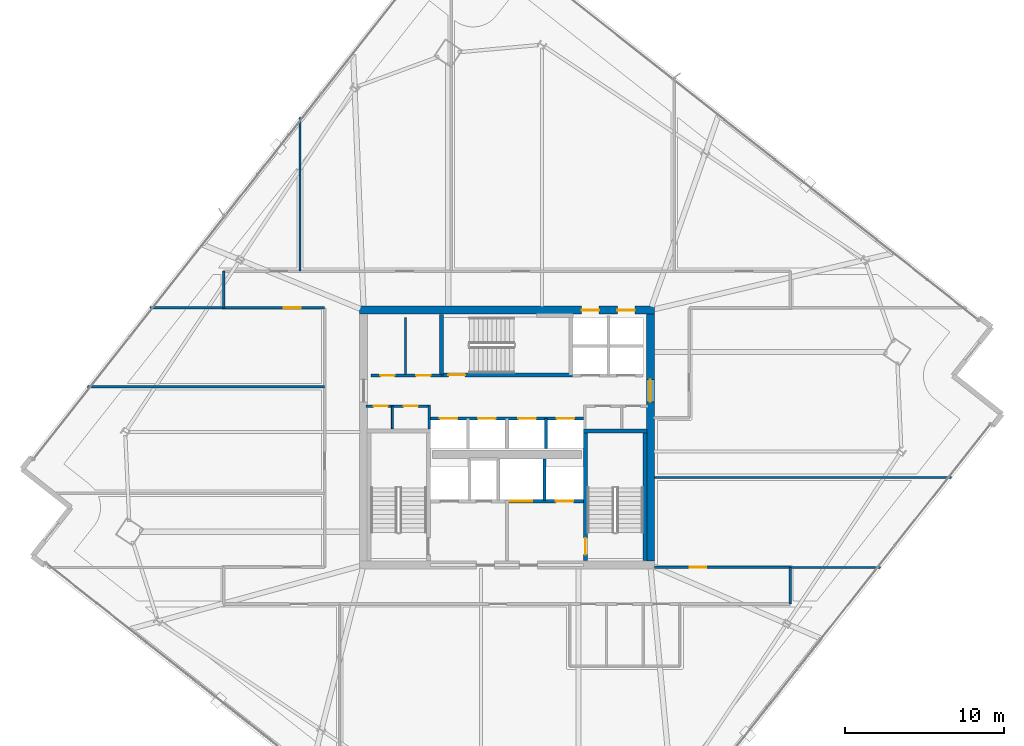
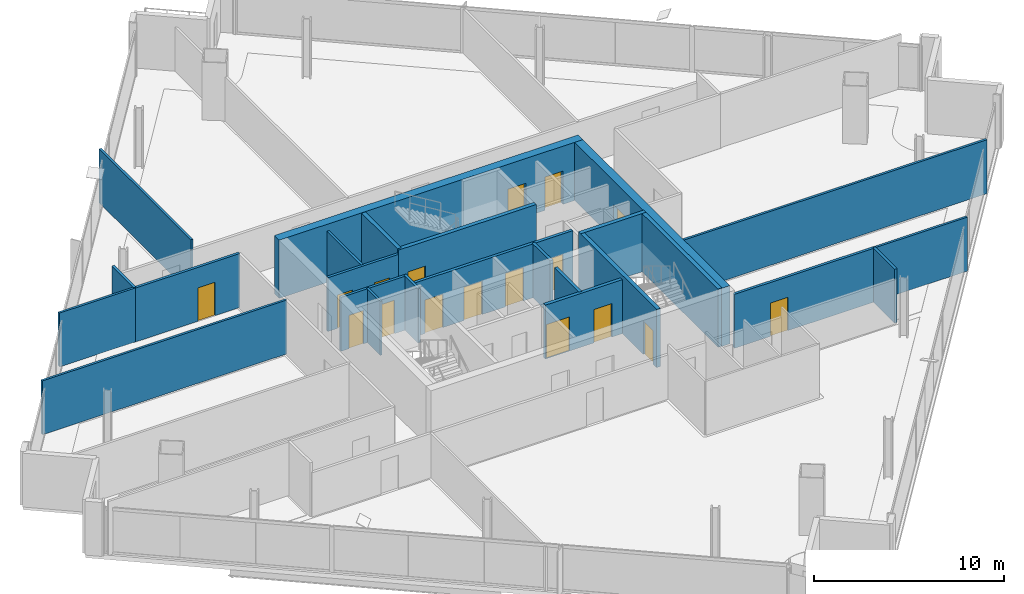
# One storey, part 21 of 28: 25 walls, 17 doors, 17 openings.
"""IFC4 building model written with IfcOpenShell, lengths in metres."""

from ifc_helpers import new_model, si_unit, direction, frame, frame_2d, origin, place, context, subcontext, project, spatial, rectangle, extrude, material, layer, layer_set, type_object, element, fill, save


model = new_model("IFC4")

# Units and contexts
model_context = context("Model", 3, precision=1e-05, world=origin(), true_north=direction((0.0, 1.0)))
body_context = subcontext(model_context, "Body", "Model", "MODEL_VIEW")
ifc_project = project(units=[si_unit("LENGTHUNIT", "METRE"), si_unit("AREAUNIT", "SQUARE_METRE"), si_unit("VOLUMEUNIT", "CUBIC_METRE"), si_unit("PLANEANGLEUNIT", "RADIAN"), si_unit("MASSUNIT", "GRAM", prefix="KILO")], contexts=[model_context])

# Site, building, storey
site_placement = place(None, origin())
site = spatial("IfcSite", under=ifc_project, at=site_placement, CompositionType="ELEMENT")
building_placement = place(site_placement, origin())
building = spatial("IfcBuilding", under=site, at=building_placement, Name="Haldenkirk Collegiate Tower", CompositionType="ELEMENT")
storey_placement = place(building_placement, frame((0.0, 0.0, 202.199951171875)))
storey = spatial("IfcBuildingStorey", under=building, at=storey_placement, Name="L50", CompositionType="ELEMENT", Elevation=202.199951171875)

# Wall, openings, doors
ifc_material_1 = material(Name="Concrete f'c 55 MPa", Category="concrete")
ifc_layer_1 = layer(ifc_material_1, 0.5)
ifc_layer_set_1 = layer_set([ifc_layer_1], Name="Concrete f'c 55 MPa")
wall_type_1 = type_object("IfcWallType", Name="WL-CORE-500", PredefinedType="SHEAR", material=ifc_layer_set_1)
wall_1_placement = place(storey_placement, frame((26.75, 34.0, 0.0), z_axis=(0.0, 0.0, 1.0), x_axis=(1.0, 0.0, 0.0)))
wall_1 = element("IfcWall", 1, at=wall_1_placement, inside=storey, type_object=wall_type_1, Name="L50 central core shear wall N", PredefinedType="SHEAR", context=body_context, shape_type="SweptSolid", body=[
    extrude(rectangle(XDim=18.5, YDim=0.5, at=frame_2d((9.25, 0.0))), origin(), (0.0, 0.0, 1.0), 3.75),
])
opening_1_placement = place(wall_1_placement, frame((13.93505859375, 0.0, 0.0)))
opening_1 = element("IfcOpeningElement", 2, at=opening_1_placement, cuts=wall_1, Name="Opening LD-11", PredefinedType="OPENING", context=body_context, shape_type="SweptSolid", body=[
    extrude(rectangle(XDim=1.10009765625, YDim=2.14990234375, at=frame_2d((0.550048828125, 1.074951171875))), frame((0.0, 0.260009765625, 0.0), z_axis=(0.0, -1.0, 0.0), x_axis=(1.0, 0.0, 0.0)), (0.0, 0.0, 1.0), 0.52001953125),
])
opening_2_placement = place(wall_1_placement, frame((16.18505859375, 0.0, 0.0)))
opening_2 = element("IfcOpeningElement", 3, at=opening_2_placement, cuts=wall_1, Name="Opening LD-11", PredefinedType="OPENING", context=body_context, shape_type="SweptSolid", body=[
    extrude(rectangle(XDim=1.10009765625, YDim=2.14990234375, at=frame_2d((0.550048828125, 1.074951171875))), frame((0.0, 0.260009765625, 0.0), z_axis=(0.0, -1.0, 0.0), x_axis=(1.0, 0.0, 0.0)), (0.0, 0.0, 1.0), 0.52001953125),
])
ifc_material_2 = material(Name="Brushed architectural stainless steel", Category="steel")
ifc_layer_2 = layer(ifc_material_2, 0.06005859375)
ifc_layer_set_2 = layer_set([ifc_layer_2], Name="Brushed architectural stainless steel")
door_type_1 = type_object("IfcDoorType", Name="LD-PASS-1100", OperationType="NOTDEFINED", PredefinedType="DOOR", material=ifc_layer_set_2)
door_1_placement = place(opening_1_placement, origin())
door_1 = element("IfcDoor", 4, at=door_1_placement, inside=storey, type_object=door_type_1, Name="L50 Elevator PM3 sliding landing door", OperationType="SLIDING_TO_LEFT", OverallHeight=2.14990234375, OverallWidth=1.10009765625, PredefinedType="DOOR", context=body_context, shape_type="SweptSolid", body=[
    extrude(rectangle(XDim=1.10009765625, YDim=2.14990234375, at=frame_2d((0.550048828125, 1.074951171875))), frame((0.0, 0.02490234375, 0.0), z_axis=(0.0, -1.0, 0.0), x_axis=(1.0, 0.0, 0.0)), (0.0, 0.0, 1.0), 0.050048828125),
])
fill(opening_1, door_1)
door_2_placement = place(opening_2_placement, origin())
door_2 = element("IfcDoor", 5, at=door_2_placement, inside=storey, type_object=door_type_1, Name="L50 Elevator PM4 sliding landing door", OperationType="SLIDING_TO_LEFT", OverallHeight=2.14990234375, OverallWidth=1.10009765625, PredefinedType="DOOR", context=body_context, shape_type="SweptSolid", body=[
    extrude(rectangle(XDim=1.10009765625, YDim=2.14990234375, at=frame_2d((0.550048828125, 1.074951171875))), frame((0.0, 0.02490234375, 0.0), z_axis=(0.0, -1.0, 0.0), x_axis=(1.0, 0.0, 0.0)), (0.0, 0.0, 1.0), 0.050048828125),
])
fill(opening_2, door_2)

# Wall, opening, door
wall_2_placement = place(storey_placement, frame((45.0, 18.25, 0.0), z_axis=(0.0, 0.0, 1.0), x_axis=(0.0, 1.0, 0.0)))
wall_2 = element("IfcWall", 6, at=wall_2_placement, inside=storey, type_object=wall_type_1, Name="L50 central core shear wall E", PredefinedType="SHEAR", context=body_context, shape_type="SweptSolid", body=[
    extrude(rectangle(XDim=15.5, YDim=0.5, at=frame_2d((7.75, 0.0))), origin(), (0.0, 0.0, 1.0), 3.75),
])
opening_3_placement = place(wall_2_placement, frame((9.989990234375, 0.0, 0.0)))
opening_3 = element("IfcOpeningElement", 7, at=opening_3_placement, cuts=wall_2, Name="Opening D-03", PredefinedType="OPENING", context=body_context, shape_type="SweptSolid", body=[
    extrude(rectangle(XDim=1.39990234375, YDim=2.199951171875, at=frame_2d((0.699951171875, 1.10009765625))), frame((0.0, 0.260009765625, 0.0), z_axis=(0.0, -1.0, 0.0), x_axis=(1.0, 0.0, 0.0)), (0.0, 0.0, 1.0), 0.52001953125),
])
ifc_material_3 = material(Name="Galvanized fire-rated hollow steel door", Category="steel")
ifc_layer_3 = layer(ifc_material_3, 0.06005859375)
ifc_layer_set_3 = layer_set([ifc_layer_3], Name="Galvanized fire-rated hollow steel door")
door_type_2 = type_object("IfcDoorType", Name="DR-LOBBY-FD90-1400", OperationType="NOTDEFINED", PredefinedType="DOOR", material=ifc_layer_set_3)
door_3_placement = place(opening_3_placement, origin())
door_3 = element("IfcDoor", 8, at=door_3_placement, inside=storey, type_object=door_type_2, Name="L50 east lift lobby portal", OperationType="DOUBLE_DOOR_SINGLE_SWING", OverallHeight=2.199951171875, OverallWidth=1.39990234375, PredefinedType="DOOR", context=body_context, shape_type="SweptSolid", body=[
    extrude(rectangle(XDim=1.39990234375, YDim=2.199951171875, at=frame_2d((0.699951171875, 1.10009765625))), frame((0.0, 0.02490234375, 0.0), z_axis=(0.0, -1.0, 0.0), x_axis=(1.0, 0.0, 0.0)), (0.0, 0.0, 1.0), 0.050048828125),
])
fill(opening_3, door_3)

# Wall, openings, doors
ifc_material_4 = material(Name="Acoustic fire-rated gypsum partition", Category="concrete")
ifc_layer_4 = layer(ifc_material_4, 0.159912109375)
ifc_layer_set_4 = layer_set([ifc_layer_4], Name="Acoustic fire-rated gypsum partition")
wall_type_2 = type_object("IfcWallType", Name="WL-INT-CORR-160", PredefinedType="PARTITIONING", material=ifc_layer_set_4)
wall_3_placement = place(storey_placement, frame((27.14990234375, 27.97998046875, 0.0), z_axis=(0.0, 0.0, 1.0), x_axis=(1.0, 0.0, 0.0)))
wall_3 = element("IfcWall", 9, at=wall_3_placement, inside=storey, type_object=wall_type_2, Name="L50 interior partition IW-L50-VCSW-N", PredefinedType="PARTITIONING", context=body_context, shape_type="SweptSolid", body=[
    extrude(rectangle(XDim=4.050048828125, YDim=0.159912109375, at=frame_2d((2.02490234375, 0.0))), origin(), (0.0, 0.0, 1.0), 3.469970703125),
])
opening_4_placement = place(wall_3_placement, frame((0.469970703125, 0.0, 0.0)))
opening_4 = element("IfcOpeningElement", 10, at=opening_4_placement, cuts=wall_3, Name="Opening D-11", PredefinedType="OPENING", context=body_context, shape_type="SweptSolid", body=[
    extrude(rectangle(XDim=0.89990234375, YDim=2.14990234375, at=frame_2d((0.449951171875, 1.074951171875))), frame((0.0, 0.08984375, 0.0), z_axis=(0.0, -1.0, 0.0), x_axis=(1.0, 0.0, 0.0)), (0.0, 0.0, 1.0), 0.179931640625),
])
opening_5_placement = place(wall_3_placement, frame((2.360107421875, 0.0, 0.0)))
opening_5 = element("IfcOpeningElement", 11, at=opening_5_placement, cuts=wall_3, Name="Opening D-11", PredefinedType="OPENING", context=body_context, shape_type="SweptSolid", body=[
    extrude(rectangle(XDim=0.89990234375, YDim=2.14990234375, at=frame_2d((0.449951171875, 1.074951171875))), frame((0.0, 0.08984375, 0.0), z_axis=(0.0, -1.0, 0.0), x_axis=(1.0, 0.0, 0.0)), (0.0, 0.0, 1.0), 0.179931640625),
])
ifc_material_5 = material(Name="Solid-core architectural oak fire door", Category="wood")
ifc_layer_5 = layer(ifc_material_5, 0.06005859375)
ifc_layer_set_5 = layer_set([ifc_layer_5], Name="Solid-core architectural oak fire door")
door_type_3 = type_object("IfcDoorType", Name="DR-INT-FD60-900", OperationType="NOTDEFINED", PredefinedType="DOOR", material=ifc_layer_set_5)
door_4_placement = place(opening_4_placement, origin())
door_4 = element("IfcDoor", 12, at=door_4_placement, inside=storey, type_object=door_type_3, Name="L50 core AV closet door", OperationType="SINGLE_SWING_LEFT", OverallHeight=2.14990234375, OverallWidth=0.89990234375, PredefinedType="DOOR", context=body_context, shape_type="SweptSolid", body=[
    extrude(rectangle(XDim=0.89990234375, YDim=2.14990234375, at=frame_2d((0.449951171875, 1.074951171875))), frame((0.0, 0.02490234375, 0.0), z_axis=(0.0, -1.0, 0.0), x_axis=(1.0, 0.0, 0.0)), (0.0, 0.0, 1.0), 0.050048828125),
])
fill(opening_4, door_4)
door_5_placement = place(opening_5_placement, origin())
door_5 = element("IfcDoor", 13, at=door_5_placement, inside=storey, type_object=door_type_3, Name="L50 core supply closet door", OperationType="SINGLE_SWING_RIGHT", OverallHeight=2.14990234375, OverallWidth=0.89990234375, PredefinedType="DOOR", context=body_context, shape_type="SweptSolid", body=[
    extrude(rectangle(XDim=0.89990234375, YDim=2.14990234375, at=frame_2d((0.449951171875, 1.074951171875))), frame((0.0, 0.02490234375, 0.0), z_axis=(0.0, -1.0, 0.0), x_axis=(1.0, 0.0, 0.0)), (0.0, 0.0, 1.0), 0.050048828125),
])
fill(opening_5, door_5)

# Wall
wall_4_placement = place(storey_placement, frame((31.1201171875, 26.5400390625, 0.0), z_axis=(0.0, 0.0, 1.0), x_axis=(0.0, 1.0, 0.0)))
element("IfcWall", 14, at=wall_4_placement, inside=storey, type_object=wall_type_2, Name="L50 interior partition IW-L50-VCSW-E", PredefinedType="PARTITIONING", context=body_context, shape_type="SweptSolid", body=[
    extrude(rectangle(XDim=1.510009765625, YDim=0.159912109375, at=frame_2d((0.7548828125, 0.0))), origin(), (0.0, 0.0, 1.0), 3.469970703125),
])

# Wall, openings, doors
wall_5_placement = place(storey_placement, frame((27.449951171875, 29.89990234375, 0.0), z_axis=(0.0, 0.0, 1.0), x_axis=(1.0, 0.0, 0.0)))
wall_5 = element("IfcWall", 15, at=wall_5_placement, inside=storey, type_object=wall_type_2, Name="L50 interior partition IW-L50-PLS", PredefinedType="PARTITIONING", context=body_context, shape_type="SweptSolid", body=[
    extrude(rectangle(XDim=4.429931640625, YDim=0.159912109375, at=frame_2d((2.21484375, 0.0))), origin(), (0.0, 0.0, 1.0), 3.469970703125),
])
opening_6_placement = place(wall_5_placement, frame((0.60009765625, 0.0, 0.0)))
opening_6 = element("IfcOpeningElement", 16, at=opening_6_placement, cuts=wall_5, Name="Opening D-11", PredefinedType="OPENING", context=body_context, shape_type="SweptSolid", body=[
    extrude(rectangle(XDim=0.89990234375, YDim=2.14990234375, at=frame_2d((0.449951171875, 1.074951171875))), frame((0.0, 0.08984375, 0.0), z_axis=(0.0, -1.0, 0.0), x_axis=(1.0, 0.0, 0.0)), (0.0, 0.0, 1.0), 0.179931640625),
])
opening_7_placement = place(wall_5_placement, frame((2.85009765625, 0.0, 0.0)))
opening_7 = element("IfcOpeningElement", 17, at=opening_7_placement, cuts=wall_5, Name="Opening D-11", PredefinedType="OPENING", context=body_context, shape_type="SweptSolid", body=[
    extrude(rectangle(XDim=0.89990234375, YDim=2.14990234375, at=frame_2d((0.449951171875, 1.074951171875))), frame((0.0, 0.08984375, 0.0), z_axis=(0.0, -1.0, 0.0), x_axis=(1.0, 0.0, 0.0)), (0.0, 0.0, 1.0), 0.179931640625),
])
door_6_placement = place(opening_6_placement, origin())
door_6 = element("IfcDoor", 18, at=door_6_placement, inside=storey, type_object=door_type_3, Name="L50 tea kitchen door", OperationType="SINGLE_SWING_LEFT", OverallHeight=2.14990234375, OverallWidth=0.89990234375, PredefinedType="DOOR", context=body_context, shape_type="SweptSolid", body=[
    extrude(rectangle(XDim=0.89990234375, YDim=2.14990234375, at=frame_2d((0.449951171875, 1.074951171875))), frame((0.0, 0.02490234375, 0.0), z_axis=(0.0, -1.0, 0.0), x_axis=(1.0, 0.0, 0.0)), (0.0, 0.0, 1.0), 0.050048828125),
])
fill(opening_6, door_6)
door_7_placement = place(opening_7_placement, origin())
door_7 = element("IfcDoor", 19, at=door_7_placement, inside=storey, type_object=door_type_3, Name="L50 IT room door", OperationType="SINGLE_SWING_RIGHT", OverallHeight=2.14990234375, OverallWidth=0.89990234375, PredefinedType="DOOR", context=body_context, shape_type="SweptSolid", body=[
    extrude(rectangle(XDim=0.89990234375, YDim=2.14990234375, at=frame_2d((0.449951171875, 1.074951171875))), frame((0.0, 0.02490234375, 0.0), z_axis=(0.0, -1.0, 0.0), x_axis=(1.0, 0.0, 0.0)), (0.0, 0.0, 1.0), 0.050048828125),
])
fill(opening_7, door_7)

# Wall, opening, door
wall_6_placement = place(storey_placement, frame((45.25, 17.85009765625, 0.0), z_axis=(0.0, 0.0, 1.0), x_axis=(1.0, 0.0, 0.0)))
wall_6 = element("IfcWall", 20, at=wall_6_placement, inside=storey, type_object=wall_type_2, Name="L50 interior partition IW-L50-CSE", PredefinedType="PARTITIONING", context=body_context, shape_type="SweptSolid", body=[
    extrude(rectangle(XDim=8.550048828125, YDim=0.159912109375, at=frame_2d((4.27490234375, 0.0))), origin(), (0.0, 0.0, 1.0), 3.469970703125),
])
opening_8_placement = place(wall_6_placement, frame((2.2109375, 0.0, 0.0)))
opening_8 = element("IfcOpeningElement", 21, at=opening_8_placement, cuts=wall_6, Name="Opening D-09", PredefinedType="OPENING", context=body_context, shape_type="SweptSolid", body=[
    extrude(rectangle(XDim=1.050048828125, YDim=2.14990234375, at=frame_2d((0.52490234375, 1.074951171875))), frame((0.0, 0.08984375, 0.0), z_axis=(0.0, -1.0, 0.0), x_axis=(1.0, 0.0, 0.0)), (0.0, 0.0, 1.0), 0.179931640625),
])
ifc_layer_6 = layer(ifc_material_5, 0.06005859375)
ifc_layer_set_6 = layer_set([ifc_layer_6], Name="Solid-core architectural oak fire door")
door_type_4 = type_object("IfcDoorType", Name="DR-INT-FD60-1050", OperationType="NOTDEFINED", PredefinedType="DOOR", material=ifc_layer_set_6)
door_8_placement = place(opening_8_placement, origin())
door_8 = element("IfcDoor", 22, at=door_8_placement, inside=storey, type_object=door_type_4, Name="L50 Optics Research Laboratory 10 door", OperationType="SINGLE_SWING_LEFT", OverallHeight=2.14990234375, OverallWidth=1.050048828125, PredefinedType="DOOR", context=body_context, shape_type="SweptSolid", body=[
    extrude(rectangle(XDim=1.050048828125, YDim=2.14990234375, at=frame_2d((0.52490234375, 1.074951171875))), frame((0.0, 0.02490234375, 0.0), z_axis=(0.0, -1.0, 0.0), x_axis=(1.0, 0.0, 0.0)), (0.0, 0.0, 1.0), 0.050048828125),
])
fill(opening_8, door_8)

wall_7_placement = place(storey_placement, frame((18.199951171875, 34.14990234375, 0.0), z_axis=(0.0, 0.0, 1.0), x_axis=(1.0, 0.0, 0.0)))
wall_7 = element("IfcWall", 23, at=wall_7_placement, inside=storey, type_object=wall_type_2, Name="L50 interior partition IW-L50-CNW", PredefinedType="PARTITIONING", context=body_context, shape_type="SweptSolid", body=[
    extrude(rectangle(XDim=6.35009765625, YDim=0.159912109375, at=frame_2d((3.175048828125, 0.0))), origin(), (0.0, 0.0, 1.0), 3.469970703125),
])
opening_9_placement = place(wall_7_placement, frame((3.79296875, 0.0, 0.0)))
opening_9 = element("IfcOpeningElement", 24, at=opening_9_placement, cuts=wall_7, Name="Opening D-09", PredefinedType="OPENING", context=body_context, shape_type="SweptSolid", body=[
    extrude(rectangle(XDim=1.050048828125, YDim=2.14990234375, at=frame_2d((0.52490234375, 1.074951171875))), frame((0.0, 0.08984375, 0.0), z_axis=(0.0, -1.0, 0.0), x_axis=(1.0, 0.0, 0.0)), (0.0, 0.0, 1.0), 0.179931640625),
])
door_9_placement = place(opening_9_placement, origin())
door_9 = element("IfcDoor", 25, at=door_9_placement, inside=storey, type_object=door_type_4, Name="L50 Wet Science Laboratory 9 door", OperationType="SINGLE_SWING_RIGHT", OverallHeight=2.14990234375, OverallWidth=1.050048828125, PredefinedType="DOOR", context=body_context, shape_type="SweptSolid", body=[
    extrude(rectangle(XDim=1.050048828125, YDim=2.14990234375, at=frame_2d((0.52490234375, 1.074951171875))), frame((0.0, 0.02490234375, 0.0), z_axis=(0.0, -1.0, 0.0), x_axis=(1.0, 0.0, 0.0)), (0.0, 0.0, 1.0), 0.050048828125),
])
fill(opening_9, door_9)

# Walls
for number, where, z_axis, x_axis, name in (
    (26, (53.800048828125, 15.550048828125, 0.0), (0.0, 0.0, 1.0), (0.0, 1.0, 0.0), "L50 interior partition IW-L50-CSR"),
    (27, (18.199951171875, 34.14990234375, 0.0), (0.0, 0.0, 1.0), (0.0, 1.0, 0.0), "L50 interior partition IW-L50-CNL"),
):
    element("IfcWall", number, at=place(storey_placement, frame(where, z_axis=z_axis, x_axis=x_axis)), inside=storey, type_object=wall_type_2, Name=name, PredefinedType="PARTITIONING", context=body_context, shape_type="SweptSolid", body=[
        extrude(rectangle(XDim=2.300048828125, YDim=0.159912109375, at=frame_2d((1.14990234375, 0.0))), origin(), (0.0, 0.0, 1.0), 3.469970703125),
    ])
ifc_layer_7 = layer(ifc_material_4, 0.139892578125)
ifc_layer_set_7 = layer_set([ifc_layer_7], Name="Acoustic fire-rated gypsum partition")
wall_type_3 = type_object("IfcWallType", Name="WL-INT-DIV-140", PredefinedType="PARTITIONING", material=ifc_layer_set_7)
wall_8_placement = place(storey_placement, frame((29.6201171875, 29.949951171875, 0.0), z_axis=(0.0, 0.0, 1.0), x_axis=(0.0, 1.0, 0.0)))
element("IfcWall", 28, at=wall_8_placement, inside=storey, type_object=wall_type_3, Name="L50 interior partition IW-L50-PLDIV", PredefinedType="PARTITIONING", context=body_context, shape_type="SweptSolid", body=[
    extrude(rectangle(XDim=3.60009765625, YDim=0.139892578125, at=frame_2d((1.800048828125, 0.0))), origin(), (0.0, 0.0, 1.0), 3.469970703125),
])
wall_9_placement = place(storey_placement, frame((13.5703125, 34.14990234375, 0.0), z_axis=(0.0, 0.0, 1.0), x_axis=(1.0, 0.0, 0.0)))
element("IfcWall", 29, at=wall_9_placement, inside=storey, type_object=wall_type_3, Name="L50 interior partition IW-L50-BWN", PredefinedType="PARTITIONING", context=body_context, shape_type="SweptSolid", body=[
    extrude(rectangle(XDim=4.629638671875, YDim=0.139892578125, at=frame_2d((2.31494140625, 0.0))), origin(), (0.0, 0.0, 1.0), 3.469970703125),
])
wall_10_placement = place(storey_placement, frame((53.800048828125, 17.85009765625, 0.0), z_axis=(0.0, 0.0, 1.0), x_axis=(1.0, 0.0, 0.0)))
element("IfcWall", 30, at=wall_10_placement, inside=storey, type_object=wall_type_3, Name="L50 interior partition IW-L50-BES", PredefinedType="PARTITIONING", context=body_context, shape_type="SweptSolid", body=[
    extrude(rectangle(XDim=5.648193359375, YDim=0.139892578125, at=frame_2d((2.82421875, 0.0))), origin(), (0.0, 0.0, 1.0), 3.469970703125),
])
wall_11_placement = place(storey_placement, frame((23.0, 36.449951171875, 0.0), z_axis=(0.0, 0.0, 1.0), x_axis=(0.0, 1.0, 0.0)))
element("IfcWall", 31, at=wall_11_placement, inside=storey, type_object=wall_type_3, Name="L50 interior partition IW-L50-RN1", PredefinedType="PARTITIONING", context=body_context, shape_type="SweptSolid", body=[
    extrude(rectangle(XDim=9.66162109375, YDim=0.139892578125, at=frame_2d((4.830810546875, 0.0))), origin(), (0.0, 0.0, 1.0), 3.469970703125),
])
wall_12_placement = place(storey_placement, frame((9.668212890625, 29.199951171875, 0.0), z_axis=(0.0, 0.0, 1.0), x_axis=(1.0, 0.0, 0.0)))
element("IfcWall", 32, at=wall_12_placement, inside=storey, type_object=wall_type_3, Name="L50 interior partition IW-L50-RW2", PredefinedType="PARTITIONING", context=body_context, shape_type="SweptSolid", body=[
    extrude(rectangle(XDim=14.8818359375, YDim=0.139892578125, at=frame_2d((7.44091796875, 0.0))), origin(), (0.0, 0.0, 1.0), 3.469970703125),
])
wall_13_placement = place(storey_placement, frame((45.25, 23.5, 0.0), z_axis=(0.0, 0.0, 1.0), x_axis=(1.0, 0.0, 0.0)))
element("IfcWall", 33, at=wall_13_placement, inside=storey, type_object=wall_type_3, Name="L50 interior partition IW-L50-RE1", PredefinedType="PARTITIONING", context=body_context, shape_type="SweptSolid", body=[
    extrude(rectangle(XDim=18.65234375, YDim=0.139892578125, at=frame_2d((9.326171875, 0.0))), origin(), (0.0, 0.0, 1.0), 3.469970703125),
])
ifc_material_6 = material(Name="Fire-rated gypsum shaftboard assembly", Category="concrete")
ifc_layer_8 = layer(ifc_material_6, 0.179931640625)
ifc_layer_set_8 = layer_set([ifc_layer_8], Name="Fire-rated gypsum shaftboard assembly")
wall_type_4 = type_object("IfcWallType", Name="WL-INT-SHAFT-180", PredefinedType="PARTITIONING", material=ifc_layer_set_8)
wall_14_placement = place(storey_placement, frame((38.35009765625, 22.050048828125, 0.0), z_axis=(0.0, 0.0, 1.0), x_axis=(0.0, 1.0, 0.0)))
element("IfcWall", 34, at=wall_14_placement, inside=storey, type_object=wall_type_4, Name="L50 interior partition IW-L50-GL1E", PredefinedType="PARTITIONING", context=body_context, shape_type="SweptSolid", body=[
    extrude(rectangle(XDim=2.599853515625, YDim=0.179931640625, at=frame_2d((1.2998046875, 0.0))), origin(), (0.0, 0.0, 1.0), 3.469970703125),
])

# Wall, openings, doors
wall_15_placement = place(storey_placement, frame((31.199951171875, 27.199951171875, 0.0), z_axis=(0.0, 0.0, 1.0), x_axis=(1.0, 0.0, 0.0)))
wall_15 = element("IfcWall", 35, at=wall_15_placement, inside=storey, type_object=wall_type_4, Name="L50 interior partition IW-L50-PHN", PredefinedType="PARTITIONING", context=body_context, shape_type="SweptSolid", body=[
    extrude(rectangle(XDim=9.60009765625, YDim=0.179931640625, at=frame_2d((4.800048828125, 0.0))), origin(), (0.0, 0.0, 1.0), 3.469970703125),
])
opening_10_placement = place(wall_15_placement, frame((0.590087890625, 0.0, 0.0)))
opening_10 = element("IfcOpeningElement", 36, at=opening_10_placement, cuts=wall_15, Name="Opening LD-11", PredefinedType="OPENING", context=body_context, shape_type="SweptSolid", body=[
    extrude(rectangle(XDim=1.10009765625, YDim=2.14990234375, at=frame_2d((0.550048828125, 1.074951171875))), frame((0.0, 0.099853515625, 0.0), z_axis=(0.0, -1.0, 0.0), x_axis=(1.0, 0.0, 0.0)), (0.0, 0.0, 1.0), 0.199951171875),
])
opening_11_placement = place(wall_15_placement, frame((2.989990234375, 0.0, 0.0)))
opening_11 = element("IfcOpeningElement", 37, at=opening_11_placement, cuts=wall_15, Name="Opening LD-11", PredefinedType="OPENING", context=body_context, shape_type="SweptSolid", body=[
    extrude(rectangle(XDim=1.10009765625, YDim=2.14990234375, at=frame_2d((0.550048828125, 1.074951171875))), frame((0.0, 0.099853515625, 0.0), z_axis=(0.0, -1.0, 0.0), x_axis=(1.0, 0.0, 0.0)), (0.0, 0.0, 1.0), 0.199951171875),
])
opening_12_placement = place(wall_15_placement, frame((5.510009765625, 0.0, 0.0)))
opening_12 = element("IfcOpeningElement", 38, at=opening_12_placement, cuts=wall_15, Name="Opening LD-11", PredefinedType="OPENING", context=body_context, shape_type="SweptSolid", body=[
    extrude(rectangle(XDim=1.10009765625, YDim=2.14990234375, at=frame_2d((0.550048828125, 1.074951171875))), frame((0.0, 0.099853515625, 0.0), z_axis=(0.0, -1.0, 0.0), x_axis=(1.0, 0.0, 0.0)), (0.0, 0.0, 1.0), 0.199951171875),
])
opening_13_placement = place(wall_15_placement, frame((7.909912109375, 0.0, 0.0)))
opening_13 = element("IfcOpeningElement", 39, at=opening_13_placement, cuts=wall_15, Name="Opening LD-11", PredefinedType="OPENING", context=body_context, shape_type="SweptSolid", body=[
    extrude(rectangle(XDim=1.10009765625, YDim=2.14990234375, at=frame_2d((0.550048828125, 1.074951171875))), frame((0.0, 0.099853515625, 0.0), z_axis=(0.0, -1.0, 0.0), x_axis=(1.0, 0.0, 0.0)), (0.0, 0.0, 1.0), 0.199951171875),
])
door_10_placement = place(opening_10_placement, origin())
door_10 = element("IfcDoor", 40, at=door_10_placement, inside=storey, type_object=door_type_1, Name="L50 Elevator PH1 sliding landing door", OperationType="SLIDING_TO_LEFT", OverallHeight=2.14990234375, OverallWidth=1.10009765625, PredefinedType="DOOR", context=body_context, shape_type="SweptSolid", body=[
    extrude(rectangle(XDim=1.10009765625, YDim=2.14990234375, at=frame_2d((0.550048828125, 1.074951171875))), frame((0.0, 0.02490234375, 0.0), z_axis=(0.0, -1.0, 0.0), x_axis=(1.0, 0.0, 0.0)), (0.0, 0.0, 1.0), 0.050048828125),
])
fill(opening_10, door_10)
door_11_placement = place(opening_11_placement, origin())
door_11 = element("IfcDoor", 41, at=door_11_placement, inside=storey, type_object=door_type_1, Name="L50 Elevator PH2 sliding landing door", OperationType="SLIDING_TO_LEFT", OverallHeight=2.14990234375, OverallWidth=1.10009765625, PredefinedType="DOOR", context=body_context, shape_type="SweptSolid", body=[
    extrude(rectangle(XDim=1.10009765625, YDim=2.14990234375, at=frame_2d((0.550048828125, 1.074951171875))), frame((0.0, 0.02490234375, 0.0), z_axis=(0.0, -1.0, 0.0), x_axis=(1.0, 0.0, 0.0)), (0.0, 0.0, 1.0), 0.050048828125),
])
fill(opening_11, door_11)
door_12_placement = place(opening_12_placement, origin())
door_12 = element("IfcDoor", 42, at=door_12_placement, inside=storey, type_object=door_type_1, Name="L50 Elevator PH3 sliding landing door", OperationType="SLIDING_TO_LEFT", OverallHeight=2.14990234375, OverallWidth=1.10009765625, PredefinedType="DOOR", context=body_context, shape_type="SweptSolid", body=[
    extrude(rectangle(XDim=1.10009765625, YDim=2.14990234375, at=frame_2d((0.550048828125, 1.074951171875))), frame((0.0, 0.02490234375, 0.0), z_axis=(0.0, -1.0, 0.0), x_axis=(1.0, 0.0, 0.0)), (0.0, 0.0, 1.0), 0.050048828125),
])
fill(opening_12, door_12)
door_13_placement = place(opening_13_placement, origin())
door_13 = element("IfcDoor", 43, at=door_13_placement, inside=storey, type_object=door_type_1, Name="L50 Elevator PH4 sliding landing door", OperationType="SLIDING_TO_LEFT", OverallHeight=2.14990234375, OverallWidth=1.10009765625, PredefinedType="DOOR", context=body_context, shape_type="SweptSolid", body=[
    extrude(rectangle(XDim=1.10009765625, YDim=2.14990234375, at=frame_2d((0.550048828125, 1.074951171875))), frame((0.0, 0.02490234375, 0.0), z_axis=(0.0, -1.0, 0.0), x_axis=(1.0, 0.0, 0.0)), (0.0, 0.0, 1.0), 0.050048828125),
])
fill(opening_13, door_13)

# Wall
wall_16_placement = place(storey_placement, frame((38.4599609375, 25.300048828125, 0.0), z_axis=(0.0, 0.0, 1.0), x_axis=(0.0, 1.0, 0.0)))
element("IfcWall", 44, at=wall_16_placement, inside=storey, type_object=wall_type_4, Name="L50 interior partition IW-L50-PHV3", PredefinedType="PARTITIONING", context=body_context, shape_type="SweptSolid", body=[
    extrude(rectangle(XDim=1.89990234375, YDim=0.179931640625, at=frame_2d((0.949951171875, 0.0))), origin(), (0.0, 0.0, 1.0), 3.469970703125),
])

# Wall, openings, doors
ifc_layer_9 = layer(ifc_material_6, 0.199951171875)
ifc_layer_set_9 = layer_set([ifc_layer_9], Name="Fire-rated gypsum shaftboard assembly")
wall_type_5 = type_object("IfcWallType", Name="WL-INT-SHAFT-200", PredefinedType="PARTITIONING", material=ifc_layer_set_9)
wall_17_placement = place(storey_placement, frame((36.1201171875, 22.0, 0.0), z_axis=(0.0, 0.0, 1.0), x_axis=(1.0, 0.0, 0.0)))
wall_17 = element("IfcWall", 45, at=wall_17_placement, inside=storey, type_object=wall_type_5, Name="L50 interior partition IW-L50-FFL2N", PredefinedType="PARTITIONING", context=body_context, shape_type="SweptSolid", body=[
    extrude(rectangle(XDim=4.68994140625, YDim=0.199951171875, at=frame_2d((2.344970703125, 0.0))), origin(), (0.0, 0.0, 1.0), 3.469970703125),
])
opening_14_placement = place(wall_17_placement, frame((2.955078125, 0.0, 0.0)))
opening_14 = element("IfcOpeningElement", 46, at=opening_14_placement, cuts=wall_17, Name="Opening LD-12", PredefinedType="OPENING", context=body_context, shape_type="SweptSolid", body=[
    extrude(rectangle(XDim=1.10009765625, YDim=2.14990234375, at=frame_2d((0.550048828125, 1.074951171875))), frame((0.0, 0.10986328125, 0.0), z_axis=(0.0, -1.0, 0.0), x_axis=(1.0, 0.0, 0.0)), (0.0, 0.0, 1.0), 0.219970703125),
])
opening_15_placement = place(wall_17_placement, frame((0.080078125, 0.0, 0.0)))
opening_15 = element("IfcOpeningElement", 47, at=opening_15_placement, cuts=wall_17, Name="Opening LD-13", PredefinedType="OPENING", context=body_context, shape_type="SweptSolid", body=[
    extrude(rectangle(XDim=1.39990234375, YDim=2.199951171875, at=frame_2d((0.699951171875, 1.10009765625))), frame((0.0, 0.10986328125, 0.0), z_axis=(0.0, -1.0, 0.0), x_axis=(1.0, 0.0, 0.0)), (0.0, 0.0, 1.0), 0.219970703125),
])
ifc_layer_10 = layer(ifc_material_2, 0.06005859375)
ifc_layer_set_10 = layer_set([ifc_layer_10], Name="Brushed architectural stainless steel")
door_type_5 = type_object("IfcDoorType", Name="LD-FIRE-1100", OperationType="NOTDEFINED", PredefinedType="DOOR", material=ifc_layer_set_10)
door_14_placement = place(opening_14_placement, origin())
door_14 = element("IfcDoor", 48, at=door_14_placement, inside=storey, type_object=door_type_5, Name="L50 Elevator FL2 sliding landing door", OperationType="SLIDING_TO_LEFT", OverallHeight=2.14990234375, OverallWidth=1.10009765625, PredefinedType="DOOR", context=body_context, shape_type="SweptSolid", body=[
    extrude(rectangle(XDim=1.10009765625, YDim=2.14990234375, at=frame_2d((0.550048828125, 1.074951171875))), frame((0.0, 0.02490234375, 0.0), z_axis=(0.0, -1.0, 0.0), x_axis=(1.0, 0.0, 0.0)), (0.0, 0.0, 1.0), 0.050048828125),
])
fill(opening_14, door_14)
ifc_layer_11 = layer(ifc_material_2, 0.06005859375)
ifc_layer_set_11 = layer_set([ifc_layer_11], Name="Brushed architectural stainless steel")
door_type_6 = type_object("IfcDoorType", Name="LD-GOODS-1400", OperationType="NOTDEFINED", PredefinedType="DOOR", material=ifc_layer_set_11)
door_15_placement = place(opening_15_placement, origin())
door_15 = element("IfcDoor", 49, at=door_15_placement, inside=storey, type_object=door_type_6, Name="L50 Elevator GL1 sliding landing door", OperationType="SLIDING_TO_LEFT", OverallHeight=2.199951171875, OverallWidth=1.39990234375, PredefinedType="DOOR", context=body_context, shape_type="SweptSolid", body=[
    extrude(rectangle(XDim=1.39990234375, YDim=2.199951171875, at=frame_2d((0.699951171875, 1.10009765625))), frame((0.0, 0.02490234375, 0.0), z_axis=(0.0, -1.0, 0.0), x_axis=(1.0, 0.0, 0.0)), (0.0, 0.0, 1.0), 0.050048828125),
])
fill(opening_15, door_15)

# Wall
ifc_layer_12 = layer(ifc_material_4, 0.1201171875)
ifc_layer_set_12 = layer_set([ifc_layer_12], Name="Acoustic fire-rated gypsum partition")
wall_type_6 = type_object("IfcWallType", Name="WL-INT-WET-120", PredefinedType="PARTITIONING", material=ifc_layer_set_12)
wall_18_placement = place(storey_placement, frame((28.800048828125, 26.5400390625, 0.0), z_axis=(0.0, 0.0, 1.0), x_axis=(0.0, 1.0, 0.0)))
element("IfcWall", 50, at=wall_18_placement, inside=storey, type_object=wall_type_6, Name="L50 interior partition IW-L50-VCSW-M", PredefinedType="PARTITIONING", context=body_context, shape_type="SweptSolid", body=[
    extrude(rectangle(XDim=1.43994140625, YDim=0.1201171875, at=frame_2d((0.719970703125, 0.0))), origin(), (0.0, 0.0, 1.0), 3.469970703125),
])

# Wall, opening, door
ifc_layer_13 = layer(ifc_material_1, 0.239990234375)
ifc_layer_set_13 = layer_set([ifc_layer_13], Name="Concrete f'c 55 MPa")
wall_type_7 = type_object("IfcWallType", Name="WL-SHAFT-240", PredefinedType="SHEAR", material=ifc_layer_set_13)
wall_19_placement = place(storey_placement, frame((40.929931640625, 18.280029296875, 0.0), z_axis=(0.0, 0.0, 1.0), x_axis=(0.0, 1.0, 0.0)))
wall_19 = element("IfcWall", 51, at=wall_19_placement, inside=storey, type_object=wall_type_7, Name="L50 stair shaft shear wall SW-L50-ST2W", PredefinedType="SHEAR", context=body_context, shape_type="SweptSolid", body=[
    extrude(rectangle(XDim=8.260009765625, YDim=0.239990234375, at=frame_2d((4.1298828125, 0.0))), origin(), (0.0, 0.0, 1.0), 3.75),
])
opening_16_placement = place(wall_19_placement, frame((0.364990234375, 0.0, 0.0)))
opening_16 = element("IfcOpeningElement", 52, at=opening_16_placement, cuts=wall_19, Name="Opening D-01", PredefinedType="OPENING", context=body_context, shape_type="SweptSolid", body=[
    extrude(rectangle(XDim=1.050048828125, YDim=2.14990234375, at=frame_2d((0.52490234375, 1.074951171875))), frame((0.0, 0.1298828125, 0.0), z_axis=(0.0, -1.0, 0.0), x_axis=(1.0, 0.0, 0.0)), (0.0, 0.0, 1.0), 0.260009765625),
])
ifc_layer_14 = layer(ifc_material_3, 0.06005859375)
ifc_layer_set_14 = layer_set([ifc_layer_14], Name="Galvanized fire-rated hollow steel door")
door_type_7 = type_object("IfcDoorType", Name="DR-STAIR-FD90-1050", OperationType="NOTDEFINED", PredefinedType="DOOR", material=ifc_layer_set_14)
door_16_placement = place(opening_16_placement, origin())
door_16 = element("IfcDoor", 53, at=door_16_placement, inside=storey, type_object=door_type_7, Name="L50 Stair 2 door", OperationType="SINGLE_SWING_RIGHT", OverallHeight=2.14990234375, OverallWidth=1.050048828125, PredefinedType="DOOR", context=body_context, shape_type="SweptSolid", body=[
    extrude(rectangle(XDim=1.050048828125, YDim=2.14990234375, at=frame_2d((0.52490234375, 1.074951171875))), frame((0.0, 0.02490234375, 0.0), z_axis=(0.0, -1.0, 0.0), x_axis=(1.0, 0.0, 0.0)), (0.0, 0.0, 1.0), 0.050048828125),
])
fill(opening_16, door_16)

# Walls
wall_20_placement = place(storey_placement, frame((40.81005859375, 26.419921875, 0.0), z_axis=(0.0, 0.0, 1.0), x_axis=(1.0, 0.0, 0.0)))
element("IfcWall", 54, at=wall_20_placement, inside=storey, type_object=wall_type_7, Name="L50 stair shaft shear wall SW-L50-ST2N", PredefinedType="SHEAR", context=body_context, shape_type="SweptSolid", body=[
    extrude(rectangle(XDim=3.97998046875, YDim=0.239990234375, at=frame_2d((1.989990234375, 0.0))), origin(), (0.0, 0.0, 1.0), 3.75),
])
wall_21_placement = place(storey_placement, frame((44.669921875, 18.280029296875, 0.0), z_axis=(0.0, 0.0, 1.0), x_axis=(0.0, 1.0, 0.0)))
element("IfcWall", 55, at=wall_21_placement, inside=storey, type_object=wall_type_7, Name="L50 stair shaft shear wall SW-L50-ST2E", PredefinedType="SHEAR", context=body_context, shape_type="SweptSolid", body=[
    extrude(rectangle(XDim=8.260009765625, YDim=0.239990234375, at=frame_2d((4.1298828125, 0.0))), origin(), (0.0, 0.0, 1.0), 3.75),
])

# Wall, opening, door
wall_22_placement = place(storey_placement, frame((31.760009765625, 29.929931640625, 0.0), z_axis=(0.0, 0.0, 1.0), x_axis=(1.0, 0.0, 0.0)))
wall_22 = element("IfcWall", 56, at=wall_22_placement, inside=storey, type_object=wall_type_7, Name="L50 stair shaft shear wall SW-L50-ST3S", PredefinedType="SHEAR", context=body_context, shape_type="SweptSolid", body=[
    extrude(rectangle(XDim=8.3798828125, YDim=0.239990234375, at=frame_2d((4.18994140625, 0.0))), origin(), (0.0, 0.0, 1.0), 3.75),
])
opening_17_placement = place(wall_22_placement, frame((0.56494140625, 0.0, 0.0)))
opening_17 = element("IfcOpeningElement", 57, at=opening_17_placement, cuts=wall_22, Name="Opening D-01", PredefinedType="OPENING", context=body_context, shape_type="SweptSolid", body=[
    extrude(rectangle(XDim=1.050048828125, YDim=2.14990234375, at=frame_2d((0.52490234375, 1.074951171875))), frame((0.0, 0.1298828125, 0.0), z_axis=(0.0, -1.0, 0.0), x_axis=(1.0, 0.0, 0.0)), (0.0, 0.0, 1.0), 0.260009765625),
])
door_17_placement = place(opening_17_placement, origin())
door_17 = element("IfcDoor", 58, at=door_17_placement, inside=storey, type_object=door_type_7, Name="L50 lift lobby Stair 3 door", OperationType="SINGLE_SWING_LEFT", OverallHeight=2.14990234375, OverallWidth=1.050048828125, PredefinedType="DOOR", context=body_context, shape_type="SweptSolid", body=[
    extrude(rectangle(XDim=1.050048828125, YDim=2.14990234375, at=frame_2d((0.52490234375, 1.074951171875))), frame((0.0, 0.02490234375, 0.0), z_axis=(0.0, -1.0, 0.0), x_axis=(1.0, 0.0, 0.0)), (0.0, 0.0, 1.0), 0.050048828125),
])
fill(opening_17, door_17)

# Wall
wall_23_placement = place(storey_placement, frame((31.8798828125, 29.929931640625, 0.0), z_axis=(0.0, 0.0, 1.0), x_axis=(0.0, 1.0, 0.0)))
element("IfcWall", 59, at=wall_23_placement, inside=storey, type_object=wall_type_7, Name="L50 stair shaft shear wall SW-L50-ST3W", PredefinedType="SHEAR", context=body_context, shape_type="SweptSolid", body=[
    extrude(rectangle(XDim=3.7900390625, YDim=0.239990234375, at=frame_2d((1.89501953125, 0.0))), origin(), (0.0, 0.0, 1.0), 3.75),
])

save(model, "model.ifc")
